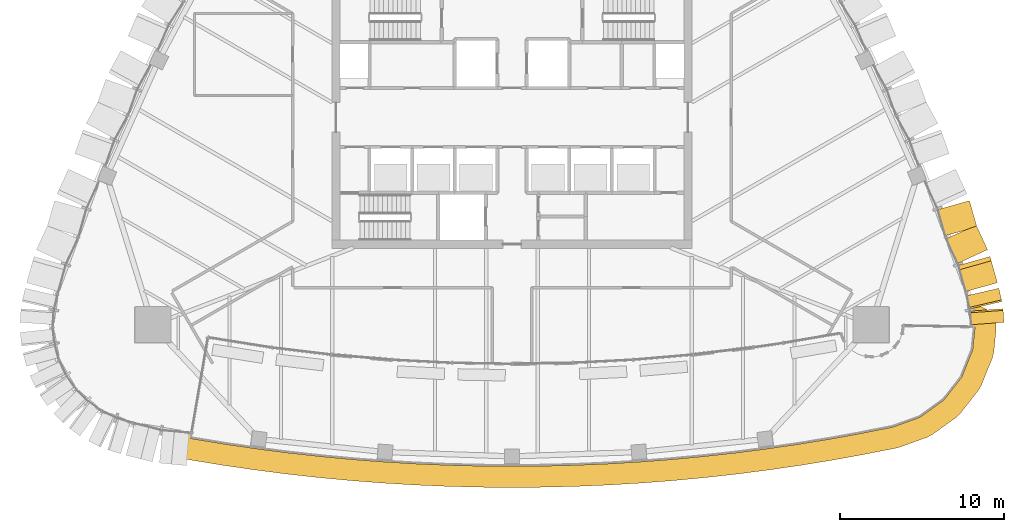
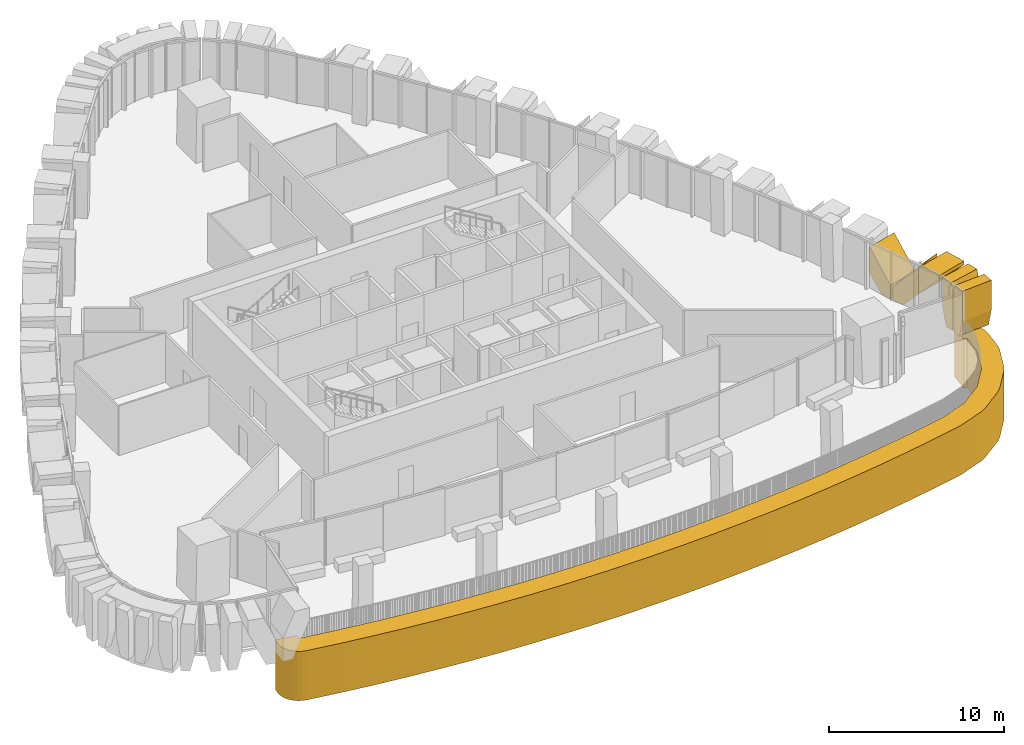
# One storey, part 19 of 22: 6 coverings.
"""IFC4 building model written with IfcOpenShell, lengths in metres."""

import ifcopenshell
import ifcopenshell.guid

model = None  # the IFC model being written
_history = None  # IfcOwnerHistory: only IFC2X3 demands one
_inside = {}  # id of a spatial element -> (the spatial element, [elements in it])
_under = {}  # id of a project, library or spatial element -> (it, [spatial elements below it])
_declared = {}  # id of a project -> (the project, [libraries it declares])
_typed = {}  # id of a type object -> (the type object, [elements of that type])
_made_of = {}  # id of a material, layer set ... -> (it, [elements and type objects made of it])


def new_model(schema):
    """Start an empty IFC model of exactly this schema.

    Asked for "IFC4X3", IfcOpenShell would pick the latest addendum, in which some entities
    have other attributes; the version numbers below select the first issue.
    IFC2X3 requires an IfcOwnerHistory on every rooted entity: one is made here for all.
    """
    global model, _history
    if schema == "IFC4X3":
        model = ifcopenshell.file(schema_version=(4, 3, 0, 0))
    else:
        model = ifcopenshell.file(schema=schema)
    _inside.clear()
    _under.clear()
    _declared.clear()
    _typed.clear()
    _made_of.clear()
    _history = None
    if model.schema == "IFC2X3":
        org = make("IfcOrganization", Name="unknown")
        user = make(
            "IfcPersonAndOrganization",
            ThePerson=make("IfcPerson", FamilyName="unknown"),
            TheOrganization=org,
        )
        app = make(
            "IfcApplication",
            ApplicationDeveloper=org,
            Version="unknown",
            ApplicationFullName="unknown",
            ApplicationIdentifier="unknown",
        )
        _history = make(
            "IfcOwnerHistory",
            OwningUser=user,
            OwningApplication=app,
            ChangeAction="ADDED",
            CreationDate=0,
        )
    return model


def make(cls, **values):
    """One entity of the class cls with the attributes given. An attribute that is None is left unset."""
    return model.create_entity(
        cls, **{name: value for name, value in values.items() if value is not None}
    )


def rooted(cls, **values):
    """An entity with a GlobalId (a new one), such as an element, a storey or a relation."""
    return make(cls, GlobalId=ifcopenshell.guid.new(), OwnerHistory=_history, **values)


def si_unit(unit_type, name, prefix=None):
    """IfcSIUnit, for example si_unit("LENGTHUNIT", "METRE", prefix="MILLI")."""
    return make("IfcSIUnit", UnitType=unit_type, Prefix=prefix, Name=name)


def assignment(units):
    """IfcUnitAssignment: the units of a project."""
    return None if units is None else make("IfcUnitAssignment", Units=units)


def point(xyz):
    """IfcCartesianPoint."""
    return None if xyz is None else make("IfcCartesianPoint", Coordinates=xyz)


def direction(xyz):
    """IfcDirection."""
    return None if xyz is None else make("IfcDirection", DirectionRatios=xyz)


def frame(location, z_axis=None, x_axis=None):
    """IfcAxis2Placement3D, a coordinate frame: its origin and axes. An axis left out is left unset."""
    return make(
        "IfcAxis2Placement3D",
        Location=point(location),
        Axis=direction(z_axis),
        RefDirection=direction(x_axis),
    )


def origin():
    """The frame at (0, 0, 0) with its axes left unset."""
    return frame((0.0, 0.0, 0.0))


def place(relative_to, where):
    """IfcLocalPlacement: puts the frame where relative to a parent placement (None: the world)."""
    return make(
        "IfcLocalPlacement", PlacementRelTo=relative_to, RelativePlacement=where
    )


def context(
    kind, dimensions, precision=None, world=None, true_north=None, identifier=None
):
    """IfcGeometricRepresentationContext, for example the 3D "Model" context."""
    return make(
        "IfcGeometricRepresentationContext",
        ContextIdentifier=identifier,
        ContextType=kind,
        CoordinateSpaceDimension=dimensions,
        Precision=precision,
        WorldCoordinateSystem=world,
        TrueNorth=true_north,
    )


def subcontext(parent, identifier, kind, view, scale=None):
    """IfcGeometricRepresentationSubContext, for example "Body" below "Model"."""
    return make(
        "IfcGeometricRepresentationSubContext",
        ContextIdentifier=identifier,
        ContextType=kind,
        ParentContext=parent,
        TargetScale=scale,
        TargetView=view,
    )


def project(units=None, contexts=None):
    """IfcProject with its units and contexts."""
    return rooted(
        "IfcProject",
        Name="project",
        RepresentationContexts=contexts,
        UnitsInContext=assignment(units),
    )


def spatial(cls, under=None, at=None, **own):
    """A site, building, storey or space (cls), placed at a placement, below another one or the project."""
    s = rooted(cls, ObjectPlacement=at, **own)
    if under is not None:
        _under.setdefault(under.id(), (under, []))[1].append(s)
    return s


def polyline(points):
    """IfcPolyline through the points."""
    return make("IfcPolyline", Points=[point(p) for p in points])


def outline(outer, holes=None, kind="AREA"):
    """IfcArbitraryClosedProfileDef: a profile drawn as a closed curve; with holes, ...WithVoids."""
    if holes is None:
        return make("IfcArbitraryClosedProfileDef", ProfileType=kind, OuterCurve=outer)
    return make(
        "IfcArbitraryProfileDefWithVoids",
        ProfileType=kind,
        OuterCurve=outer,
        InnerCurves=holes,
    )


def extrude(swept, where, along, depth):
    """IfcExtrudedAreaSolid: the profile swept, set in the frame where, extruded along a direction by depth."""
    return make(
        "IfcExtrudedAreaSolid",
        SweptArea=swept,
        Position=where,
        ExtrudedDirection=direction(along),
        Depth=depth,
    )


def shape(context_of_items, identifier, shape_type, items):
    """IfcShapeRepresentation: the items that make up one representation, for example the "Body"."""
    return make(
        "IfcShapeRepresentation",
        ContextOfItems=context_of_items,
        RepresentationIdentifier=identifier,
        RepresentationType=shape_type,
        Items=items,
    )


def material(Name=None, Category=None):
    """IfcMaterial."""
    return make("IfcMaterial", Name=Name, Category=Category)


def layer(
    of_material, thickness, ventilated=None, Name=None, Category=None, Priority=None
):
    """IfcMaterialLayer: one layer of a wall or slab, of a material (None: an air gap)."""
    return make(
        "IfcMaterialLayer",
        Material=of_material,
        LayerThickness=thickness,
        IsVentilated=ventilated,
        Name=Name,
        Category=Category,
        Priority=Priority,
    )


def layer_set(layers, Name=None):
    """IfcMaterialLayerSet."""
    return make("IfcMaterialLayerSet", MaterialLayers=layers, LayerSetName=Name)


def made_of(thing, what):
    """Note that an element or type object is made of a material, layer set ...; save() writes the relation."""
    if what is not None:
        _made_of.setdefault(what.id(), (what, []))[1].append(thing)
    return thing


def type_object(cls, material=None, **own):
    """A type object (cls), such as IfcWallType, which elements share."""
    return made_of(rooted(cls, **own), material)


def element(
    cls,
    number,
    at=None,
    inside=None,
    cuts=None,
    type_object=None,
    material=None,
    context=None,
    identifier="Body",
    shape_type=None,
    held_by="IfcProductDefinitionShape",
    body=None,
    shapes=None,
    **own,
):
    """One element of the class cls, such as IfcWall. Its Tag is "e" and its number.

    at: its placement. inside: the storey or other place that contains it. cuts: it is an
    opening in that element (IfcRelVoidsElement). A single representation is given by context,
    identifier, shape_type and body (its items); several are given by shapes. held_by: the class
    of the entity that holds the representations. save() writes the other relations.
    """
    e = rooted(cls, Tag="e%d" % number, ObjectPlacement=at, **own)
    if body is not None:
        shapes = [shape(context, identifier, shape_type, body)]
    if shapes is not None:
        e.Representation = make(held_by, Representations=shapes)
    if inside is not None:
        _inside.setdefault(inside.id(), (inside, []))[1].append(e)
    if cuts is not None:
        rooted(
            "IfcRelVoidsElement", RelatingBuildingElement=cuts, RelatedOpeningElement=e
        )
    if type_object is not None:
        _typed.setdefault(type_object.id(), (type_object, []))[1].append(e)
    return made_of(e, material)


def aggregate(whole, parts):
    """IfcRelAggregates: a whole, such as a stair, and the parts it consists of."""
    return rooted("IfcRelAggregates", RelatingObject=whole, RelatedObjects=parts)


def save(model, path):
    """Write the relations noted so far, then the file.

    IfcRelAggregates (storeys below a building ...), IfcRelContainedInSpatialStructure (elements
    in a storey), IfcRelDefinesByType, IfcRelAssociatesMaterial and IfcRelDeclares: one each for
    every whole, place, type object, material and project.
    """
    for whole, parts in _under.values():
        aggregate(whole, parts)
    for where, things in _inside.values():
        rooted(
            "IfcRelContainedInSpatialStructure",
            RelatedElements=things,
            RelatingStructure=where,
        )
    for kind, things in _typed.values():
        rooted("IfcRelDefinesByType", RelatedObjects=things, RelatingType=kind)
    for what, things in _made_of.values():
        rooted("IfcRelAssociatesMaterial", RelatedObjects=things, RelatingMaterial=what)
    for by, libraries in _declared.values():
        rooted("IfcRelDeclares", RelatingContext=by, RelatedDefinitions=libraries)
    model.write(path)


model = new_model("IFC4")

# Units and contexts
model_context = context("Model", 3, precision=1e-05, world=origin(), true_north=direction((0.0, 1.0)))
body_context = subcontext(model_context, "Body", "Model", "MODEL_VIEW")
ifc_project = project(units=[si_unit("LENGTHUNIT", "METRE"), si_unit("AREAUNIT", "SQUARE_METRE"), si_unit("VOLUMEUNIT", "CUBIC_METRE"), si_unit("PLANEANGLEUNIT", "RADIAN"), si_unit("MASSUNIT", "GRAM", prefix="KILO")], contexts=[model_context])

# Site, building, storey
site_placement = place(None, origin())
site = spatial("IfcSite", under=ifc_project, at=site_placement, CompositionType="ELEMENT")
building_placement = place(site_placement, origin())
building = spatial("IfcBuilding", under=site, at=building_placement, Name="Sierra Prisma Convention Tower", CompositionType="ELEMENT")
storey_placement = place(building_placement, frame((0.0, 0.0, 243.0)))
storey = spatial("IfcBuildingStorey", under=building, at=storey_placement, Name="L54", CompositionType="ELEMENT", Elevation=243.0)

# Coverings
ifc_material_1 = material(Name="Aluminium 6063-T6 bronze anodised", Category="aluminium")
ifc_layer_1 = layer(ifc_material_1, 2.0)
ifc_layer_set_1 = layer_set([ifc_layer_1], Name="Bronze crystal chevron frame")
covering_type_1 = type_object("IfcCoveringType", Name="Bronze crystal chevron frame", PredefinedType="CLADDING", material=ifc_layer_set_1)
covering_1_placement = place(storey_placement, frame((30.05810546875, -12.516357421875, 3.280029296875), z_axis=(0.997428137834, 0.071673632753, -1.4983846e-05), x_axis=(-1.494531e-05, -1.073947e-06, -0.999999999888)))
element("IfcCovering", 1, at=covering_1_placement, inside=storey, type_object=covering_type_1, Name="CW-2 chevron frame SE5.1.1", PredefinedType="CLADDING", context=body_context, shape_type="SweptSolid", body=[
    extrude(outline(polyline([(0.0, 0.0), (2.102783202888946, 4.452816634949517e-22), (3.280029296781751, 0.28246606023171095), (3.280029296632924, 0.8344220122766286), (0.4362792969521568, 0.8344220122766286), (-1.02849829173266e-09, 0.7298996251871213), (0.0, 0.0)])), origin(), (0.0, 0.0, -1.0), 2.0),
])
covering_2_placement = place(storey_placement, frame((29.806640625, -10.7080078125, 0.0), z_axis=(0.973937242522, 0.226817652466, -1.2553179e-05), x_axis=(-0.052869294926, 0.227070432988, 0.972442212225)))
element("IfcCovering", 2, at=covering_2_placement, inside=storey, type_object=covering_type_1, Name="CW-2 chevron frame SE5.1.2", PredefinedType="CLADDING", context=body_context, shape_type="SweptSolid", body=[
    extrude(outline(polyline([(0.0, 0.0), (1.2106077661531012, 0.0), (3.255442916029081, 0.4902513727461984), (3.0853141532389903, 1.1998572890276284), (2.6366884390276764, 1.199785594473644), (-0.1286941019865364, 0.5367822286606034), (0.0, 0.0)])), origin(), (0.0, 0.0, -1.0), 2.0),
])
covering_3_placement = place(storey_placement, frame((29.655517578125, -10.09375, 3.280029296875), z_axis=(0.962589836091, 0.270962732673, -7.0403855e-05), x_axis=(-6.7770035e-05, -1.9076821e-05, -0.999999997522)))
element("IfcCovering", 3, at=covering_3_placement, inside=storey, type_object=covering_type_1, Name="CW-2 chevron frame NE1.1.1", PredefinedType="CLADDING", context=body_context, shape_type="SweptSolid", body=[
    extrude(outline(polyline([(0.0, 0.0), (0.24755859313646283, -8.387611411287701e-22), (2.1076660119226, 1.6622900499014843), (0.3068847663855683, 1.6622900499014843), (-1.015301181616054e-08, 1.3880705066731354), (0.0, 0.0)])), origin(), (0.0, 0.0, -1.0), 2.0),
])
covering_4_placement = place(storey_placement, frame((29.052001953125, -8.077392578125, 2.82763671875), z_axis=(0.908327965376, 0.418258660769, 2.798732e-06), x_axis=(2.542167e-06, 1.170594e-06, -0.999999999996)))
element("IfcCovering", 4, at=covering_4_placement, inside=storey, type_object=covering_type_1, Name="CW-2 chevron frame NE1.1.2", PredefinedType="CLADDING", context=body_context, shape_type="SweptSolid", body=[
    extrude(outline(polyline([(0.0, 0.0), (1.8007812499929474, 0.0), (2.827636718768653, 0.9176109102873167), (2.827636718746969, 1.6624045731803248), (1.8601074218757583, 1.6624045731803248), (0.0, 0.0)])), origin(), (0.0, 0.0, -1.0), 2.0),
])
covering_5_placement = place(storey_placement, frame((28.197998046875, -5.96728515625, 0.0), z_axis=(0.962625323764, 0.270836640855, 4.220841e-06), x_axis=(-0.180468191205, 0.641420241812, 0.745661656086)))
element("IfcCovering", 5, at=covering_5_placement, inside=storey, type_object=covering_type_1, Name="CW-2 chevron frame NE1.2.1", PredefinedType="CLADDING", context=body_context, shape_type="SweptSolid", body=[
    extrude(outline(polyline([(0.0, 0.0), (1.377106440190563, 1.1102230246251565e-16), (2.719879969314347, 1.1999051461587493), (0.22528822929049697, 1.1999261363206286), (-0.49616126852912823, 0.5552374033722661), (0.0, 0.0)])), origin(), (0.0, 0.0, -1.0), 2.0),
])
ifc_material_2 = material(Name="Aluminium composite bronze anodised", Category="aluminium")
ifc_layer_2 = layer(ifc_material_2, 1.300048828125)
ifc_layer_set_2 = layer_set([ifc_layer_2], Name="Terrace fascia")
covering_type_2 = type_object("IfcCoveringType", Name="Terrace fascia", PredefinedType="CLADDING", material=ifc_layer_set_2)
covering_6_placement = place(storey_placement, frame((0.0, 0.0, -3.39990234375)))
element("IfcCovering", 6, at=covering_6_placement, inside=storey, type_object=covering_type_2, Name="Terrace fascia L54.1", PredefinedType="CLADDING", context=body_context, shape_type="SweptSolid", body=[
    extrude(outline(polyline([(28.31494140625, -11.51025390625), (28.58056640625, -11.543701171875), (28.833740234375, -11.631103515625), (29.063720703125, -11.768310546875), (29.2607421875, -11.94970703125), (29.416259765625, -12.167724609375), (29.52392578125, -12.4130859375), (29.5791015625, -12.675048828125), (29.5791015625, -12.94287109375), (29.435302734375, -14.342041015625), (29.347900390625, -14.6953125), (28.68115234375, -16.34912109375), (28.499267578125, -16.6640625), (27.400390625, -18.068359375), (27.13818359375, -18.32080078125), (25.693359375, -19.365478515625), (25.37158203125, -19.535400390625), (23.69384765625, -20.138671875), (23.50732421875, -20.1904296875), (21.593505859375, -20.571044921875), (21.571533203125, -20.5751953125), (19.651611328125, -20.923095703125), (19.629638671875, -20.927001953125), (17.703857421875, -21.2421875), (17.681884765625, -21.24560546875), (15.7509765625, -21.527587890625), (15.72900390625, -21.53076171875), (13.793701171875, -21.77978515625), (13.771484375, -21.782470703125), (11.83203125, -21.99853515625), (11.81005859375, -22.0009765625), (9.8671875, -22.183837890625), (9.84521484375, -22.185791015625), (7.8994140625, -22.33544921875), (7.877197265625, -22.3369140625), (5.929443359375, -22.45361328125), (5.9072265625, -22.45458984375), (3.95751953125, -22.537841796875), (3.935302734375, -22.538818359375), (1.984619140625, -22.588623046875), (1.96240234375, -22.589111328125), (0.010986328125, -22.605712890625), (-0.010986328125, -22.605712890625), (-1.96240234375, -22.589111328125), (-1.984619140625, -22.588623046875), (-3.935302734375, -22.538818359375), (-3.95751953125, -22.537841796875), (-5.9072265625, -22.45458984375), (-5.929443359375, -22.45361328125), (-7.877197265625, -22.3369140625), (-7.8994140625, -22.33544921875), (-9.84521484375, -22.185791015625), (-9.8671875, -22.183837890625), (-11.81005859375, -22.0009765625), (-11.83203125, -21.99853515625), (-13.771484375, -21.782470703125), (-13.793701171875, -21.77978515625), (-15.72900390625, -21.53076171875), (-15.7509765625, -21.527587890625), (-17.681884765625, -21.24560546875), (-17.703857421875, -21.2421875), (-19.629638671875, -20.927001953125), (-19.651611328125, -20.923095703125), (-19.87548828125, -20.882568359375), (-20.119384765625, -20.813232421875), (-20.34521484375, -20.697998046875), (-20.544189453125, -20.541015625), (-20.709228515625, -20.348388671875), (-20.83349609375, -20.12744140625), (-20.91259765625, -19.886474609375), (-20.943359375, -19.635009765625), (-20.9248046875, -19.382080078125), (-20.869384765625, -19.061767578125), (-19.590087890625, -19.29345703125), (-19.643798828125, -19.603515625), (-19.419677734375, -19.64404296875), (-17.493896484375, -19.958984375), (-15.56298828125, -20.2412109375), (-13.627685546875, -20.490478515625), (-11.688232421875, -20.70654296875), (-9.745361328125, -20.889404296875), (-7.7998046875, -21.039306640625), (-5.851806640625, -21.15576171875), (-3.902099609375, -21.239013671875), (-1.951416015625, -21.2890625), (0.0, -21.3056640625), (1.951416015625, -21.2890625), (3.902099609375, -21.239013671875), (5.851806640625, -21.15576171875), (7.7998046875, -21.039306640625), (9.745361328125, -20.889404296875), (11.688232421875, -20.70654296875), (13.627685546875, -20.490478515625), (15.56298828125, -20.2412109375), (17.493896484375, -19.958984375), (19.419677734375, -19.64404296875), (21.33984375, -19.296142578125), (23.25390625, -18.915283203125), (24.931640625, -18.31201171875), (26.376708984375, -17.26708984375), (27.4755859375, -15.863037109375), (28.14208984375, -14.209228515625), (28.285888671875, -12.81005859375), (28.076416015625, -12.805419921875), (28.209716796875, -11.508056640625), (28.31494140625, -11.51025390625)])), origin(), (0.0, 0.0, 1.0), 3.43994140625),
])

save(model, "model.ifc")
